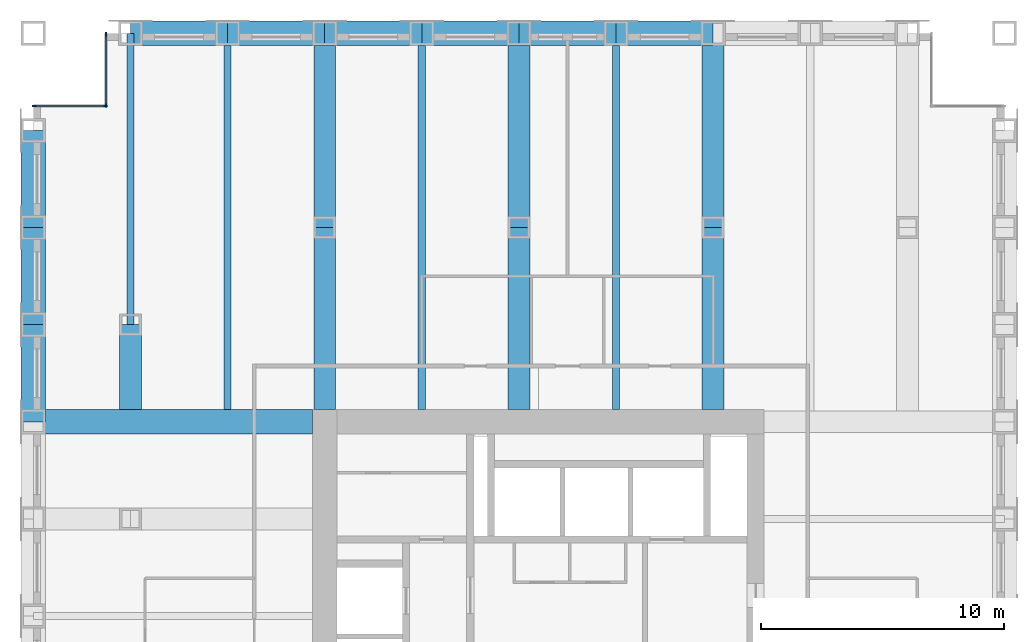
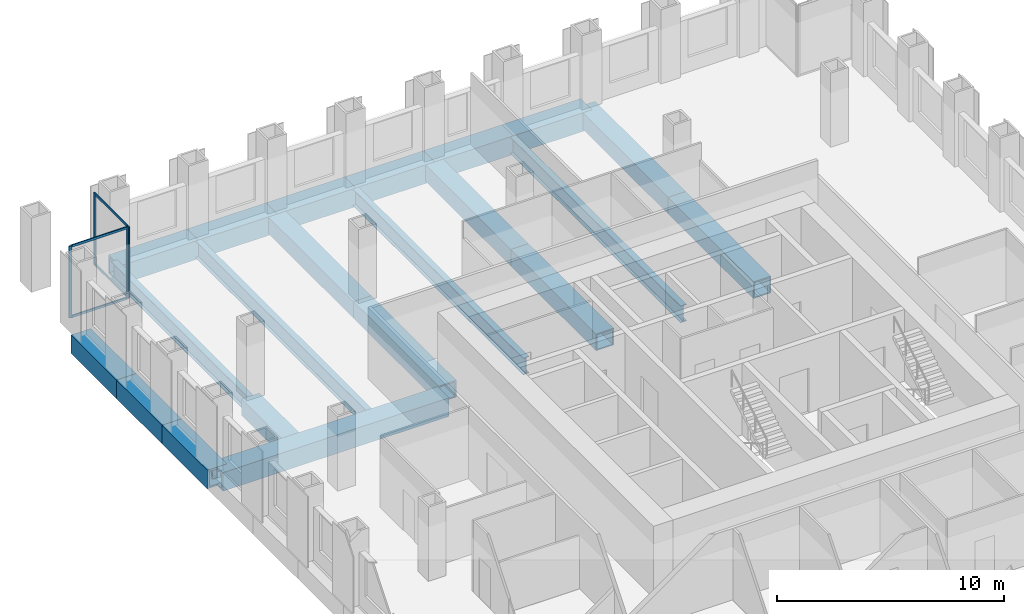
# One storey, part 5 of 12: 21 beams, 8 members, 2 elements without a shape of their own.
"""IFC4 building model written with IfcOpenShell, lengths in metres."""

from ifc_helpers import new_model, si_unit, direction, frame, origin, origin_2d, place, context, subcontext, project, spatial, rectangle, hollow_rectangle, i_section, extrude, material, material_profile, profile_set, type_object, element, aggregate, save


model = new_model("IFC4")

# Units and contexts
model_context = context("Model", 3, precision=1e-05, world=origin(), true_north=direction((0.0, 1.0)))
body_context = subcontext(model_context, "Body", "Model", "MODEL_VIEW")
ifc_project = project(units=[si_unit("LENGTHUNIT", "METRE"), si_unit("AREAUNIT", "SQUARE_METRE"), si_unit("VOLUMEUNIT", "CUBIC_METRE"), si_unit("PLANEANGLEUNIT", "RADIAN"), si_unit("MASSUNIT", "GRAM", prefix="KILO")], contexts=[model_context])

# Site, building, storey
site_placement = place(None, origin())
site = spatial("IfcSite", under=ifc_project, at=site_placement, CompositionType="ELEMENT")
building_placement = place(site_placement, origin())
building = spatial("IfcBuilding", under=site, at=building_placement, Name="Rimbunsela Tower", CompositionType="ELEMENT")
storey_placement = place(building_placement, frame((0.0, 0.0, 151.800048828125)))
storey = spatial("IfcBuildingStorey", under=building, at=storey_placement, Name="L36", CompositionType="ELEMENT", Elevation=151.800048828125)

# Beams
ifc_material_1 = material(Name="Steel BJ 55 (fy 410 MPa)", Category="steel")
ifc_material_profile_1 = material_profile(ifc_material_1, hollow_rectangle(XDim=1.0, YDim=1.0, WallThickness=0.10009765625, at=origin_2d()), Name="BOX 1000x1000x100")
ifc_profile_set_1 = profile_set([ifc_material_profile_1], Name="Steel BJ 55 (fy 410 MPa)")
beam_type_1 = type_object("IfcBeamType", Name="Beam BOX 1000x1000x100", PredefinedType="BEAM", material=ifc_profile_set_1)
beam_1_placement = place(storey_placement, frame((6.0, 36.0, -0.650146484375), z_axis=(0.0, 1.0, 0.0), x_axis=(-1.0, 0.0, 0.0)))
element("IfcBeam", 1, at=beam_1_placement, inside=storey, type_object=beam_type_1, Name="Beam B3 L36", PredefinedType="BEAM", context=body_context, shape_type="SweptSolid", body=[
    extrude(hollow_rectangle(XDim=1.0, YDim=1.0, WallThickness=0.10009765625, at=origin_2d()), origin(), (0.0, 0.0, 1.0), 4.0),
])
beam_2_placement = place(storey_placement, frame((6.0, 36.0, -0.650146484375), z_axis=(1.0, 0.0, 0.0), x_axis=(0.0, 1.0, 0.0)))
element("IfcBeam", 2, at=beam_2_placement, inside=storey, type_object=beam_type_1, Name="Beam B3 L36", PredefinedType="BEAM", context=body_context, shape_type="SweptSolid", body=[
    extrude(hollow_rectangle(XDim=1.0, YDim=1.0, WallThickness=0.10009765625, at=origin_2d()), origin(), (0.0, 0.0, 1.0), 11.5),
])
for number, where, z_axis, x_axis, name in (
    (3, (6.0, 40.0, -0.650146484375), (0.0, 1.0, 0.0), (-1.0, 0.0, 0.0), "Beam B3 L36"),
    (4, (6.0, 44.0, -0.650146484375), (0.0, 1.0, 0.0), (-1.0, 0.0, 0.0), "Beam B3 L36"),
    (5, (10.0, 52.0, -0.650146484375), (1.0, 0.0, 0.0), (0.0, 1.0, 0.0), "Beam B3 L36"),
    (6, (14.0, 52.0, -0.650146484375), (1.0, 0.0, 0.0), (0.0, 1.0, 0.0), "Beam B3 L36"),
    (7, (18.0, 52.0, -0.650146484375), (1.0, 0.0, 0.0), (0.0, 1.0, 0.0), "Beam B3 L36"),
    (8, (22.0, 52.0, -0.650146484375), (1.0, 0.0, 0.0), (0.0, 1.0, 0.0), "Beam B3 L36"),
    (9, (26.0, 52.0, -0.650146484375), (1.0, 0.0, 0.0), (0.0, 1.0, 0.0), "Beam B3 L36"),
    (10, (30.0, 52.0, -0.650146484375), (1.0, 0.0, 0.0), (0.0, 1.0, 0.0), "Beam B3 L36"),
):
    element("IfcBeam", number, at=place(storey_placement, frame(where, z_axis=z_axis, x_axis=x_axis)), inside=storey, type_object=beam_type_1, Name=name, PredefinedType="BEAM", context=body_context, shape_type="SweptSolid", body=[
        extrude(hollow_rectangle(XDim=1.0, YDim=1.0, WallThickness=0.10009765625, at=origin_2d()), origin(), (0.0, 0.0, 1.0), 4.0),
    ])
ifc_material_2 = material(Name="Steel BJ 55 (fy 410 MPa)", Category="steel")
ifc_material_profile_2 = material_profile(ifc_material_2, hollow_rectangle(XDim=0.89990234375, YDim=0.89990234375, WallThickness=0.06005859375, at=origin_2d()), Name="BOX 900x900x60")
ifc_profile_set_2 = profile_set([ifc_material_profile_2], Name="Steel BJ 55 (fy 410 MPa)")
beam_type_2 = type_object("IfcBeamType", Name="Beam BOX 900x900x60", PredefinedType="BEAM", material=ifc_profile_set_2)
beam_3_placement = place(storey_placement, frame((10.0, 36.5, -0.60009765625), z_axis=(0.0, 1.0, 0.0), x_axis=(-1.0, 0.0, 0.0)))
element("IfcBeam", 11, at=beam_3_placement, inside=storey, type_object=beam_type_2, Name="Beam B1 L36", PredefinedType="BEAM", context=body_context, shape_type="SweptSolid", body=[
    extrude(hollow_rectangle(XDim=0.89990234375, YDim=0.89990234375, WallThickness=0.06005859375, at=origin_2d()), origin(), (0.0, 0.0, 1.0), 3.5),
])
beam_4_placement = place(storey_placement, frame((18.0, 36.5, -0.60009765625), z_axis=(0.0, 1.0, 0.0), x_axis=(-1.0, 0.0, 0.0)))
element("IfcBeam", 12, at=beam_4_placement, inside=storey, type_object=beam_type_2, Name="Beam B1 L36", PredefinedType="BEAM", context=body_context, shape_type="SweptSolid", body=[
    extrude(hollow_rectangle(XDim=0.89990234375, YDim=0.89990234375, WallThickness=0.06005859375, at=origin_2d()), origin(), (0.0, 0.0, 1.0), 7.5),
])
beam_5_placement = place(storey_placement, frame((18.0, 44.0, -0.60009765625), z_axis=(0.0, 1.0, 0.0), x_axis=(-1.0, 0.0, 0.0)))
element("IfcBeam", 13, at=beam_5_placement, inside=storey, type_object=beam_type_2, Name="Beam B1 L36", PredefinedType="BEAM", context=body_context, shape_type="SweptSolid", body=[
    extrude(hollow_rectangle(XDim=0.89990234375, YDim=0.89990234375, WallThickness=0.06005859375, at=origin_2d()), origin(), (0.0, 0.0, 1.0), 8.0),
])
beam_6_placement = place(storey_placement, frame((26.0, 36.5, -0.60009765625), z_axis=(0.0, 1.0, 0.0), x_axis=(-1.0, 0.0, 0.0)))
element("IfcBeam", 14, at=beam_6_placement, inside=storey, type_object=beam_type_2, Name="Beam B1 L36", PredefinedType="BEAM", context=body_context, shape_type="SweptSolid", body=[
    extrude(hollow_rectangle(XDim=0.89990234375, YDim=0.89990234375, WallThickness=0.06005859375, at=origin_2d()), origin(), (0.0, 0.0, 1.0), 7.5),
])
beam_7_placement = place(storey_placement, frame((26.0, 44.0, -0.60009765625), z_axis=(0.0, 1.0, 0.0), x_axis=(-1.0, 0.0, 0.0)))
element("IfcBeam", 15, at=beam_7_placement, inside=storey, type_object=beam_type_2, Name="Beam B1 L36", PredefinedType="BEAM", context=body_context, shape_type="SweptSolid", body=[
    extrude(hollow_rectangle(XDim=0.89990234375, YDim=0.89990234375, WallThickness=0.06005859375, at=origin_2d()), origin(), (0.0, 0.0, 1.0), 8.0),
])
beam_8_placement = place(storey_placement, frame((34.0, 36.5, -0.60009765625), z_axis=(0.0, 1.0, 0.0), x_axis=(-1.0, 0.0, 0.0)))
element("IfcBeam", 16, at=beam_8_placement, inside=storey, type_object=beam_type_2, Name="Beam B1 L36", PredefinedType="BEAM", context=body_context, shape_type="SweptSolid", body=[
    extrude(hollow_rectangle(XDim=0.89990234375, YDim=0.89990234375, WallThickness=0.06005859375, at=origin_2d()), origin(), (0.0, 0.0, 1.0), 7.5),
])
beam_9_placement = place(storey_placement, frame((34.0, 44.0, -0.60009765625), z_axis=(0.0, 1.0, 0.0), x_axis=(-1.0, 0.0, 0.0)))
element("IfcBeam", 17, at=beam_9_placement, inside=storey, type_object=beam_type_2, Name="Beam B1 L36", PredefinedType="BEAM", context=body_context, shape_type="SweptSolid", body=[
    extrude(hollow_rectangle(XDim=0.89990234375, YDim=0.89990234375, WallThickness=0.06005859375, at=origin_2d()), origin(), (0.0, 0.0, 1.0), 8.0),
])
ifc_material_3 = material(Name="Steel BJ 55 (fy 410 MPa)", Category="steel")
ifc_material_profile_3 = material_profile(ifc_material_3, i_section(OverallWidth=0.300048828125, OverallDepth=0.89990234375, WebThickness=0.01611328125, FlangeThickness=0.028076171875, FilletRadius=0.028076171875, at=origin_2d()), Name="H 900x300x16x28")
ifc_profile_set_3 = profile_set([ifc_material_profile_3], Name="Steel BJ 55 (fy 410 MPa)")
beam_type_3 = type_object("IfcBeamType", Name="Beam H 900x300x16x28", PredefinedType="BEAM", material=ifc_profile_set_3)
beam_10_placement = place(storey_placement, frame((10.0, 40.0, -0.60009765625), z_axis=(0.0, 1.0, 0.0), x_axis=(-1.0, 0.0, 0.0)))
element("IfcBeam", 18, at=beam_10_placement, inside=storey, type_object=beam_type_3, Name="Beam B2 L36", PredefinedType="BEAM", context=body_context, shape_type="SweptSolid", body=[
    extrude(i_section(OverallWidth=0.300048828125, OverallDepth=0.89990234375, WebThickness=0.01611328125, FlangeThickness=0.028076171875, FilletRadius=0.028076171875, at=origin_2d()), origin(), (0.0, 0.0, 1.0), 12.0),
])
for number, where, z_axis, x_axis, name in (
    (19, (14.0, 36.5, -0.60009765625), (0.0, 1.0, 0.0), (-1.0, 0.0, 0.0), "Beam B2 L36"),
    (20, (22.0, 36.5, -0.60009765625), (0.0, 1.0, 0.0), (-1.0, 0.0, 0.0), "Beam B2 L36"),
    (21, (30.0, 36.5, -0.60009765625), (0.0, 1.0, 0.0), (-1.0, 0.0, 0.0), "Beam B2 L36"),
):
    element("IfcBeam", number, at=place(storey_placement, frame(where, z_axis=z_axis, x_axis=x_axis)), inside=storey, type_object=beam_type_3, Name=name, PredefinedType="BEAM", context=body_context, shape_type="SweptSolid", body=[
        extrude(i_section(OverallWidth=0.300048828125, OverallDepth=0.89990234375, WebThickness=0.01611328125, FlangeThickness=0.028076171875, FilletRadius=0.028076171875, at=origin_2d()), origin(), (0.0, 0.0, 1.0), 15.5),
    ])

# Curtain wall, members
ifc_material_4 = material(Name="Aluminium curtain wall", Category="aluminium")
curtain_wall_type = type_object("IfcCurtainWallType", Name="Corner glazing", PredefinedType="USERDEFINED", material=ifc_material_4)
curtain_wall_1_placement = place(storey_placement, origin())
curtain_wall_1 = element("IfcCurtainWall", 22, at=curtain_wall_1_placement, inside=storey, type_object=curtain_wall_type, Name="Corner glazing L36", ObjectType="CORNER GLAZING", PredefinedType="USERDEFINED")
ifc_material_5 = material(Name="Aluminium mullion", Category="aluminium")
ifc_material_profile_4 = material_profile(ifc_material_5, rectangle(XDim=0.06005859375, YDim=0.159912109375, at=origin_2d()), Name="Mullion 60x160")
ifc_profile_set_4 = profile_set([ifc_material_profile_4], Name="Aluminium mullion")
member_type_1 = type_object("IfcMemberType", Name="Curtain wall mullion 60x160", PredefinedType="MULLION", material=ifc_profile_set_4)
member_1_placement = place(storey_placement, frame((9.0, 51.969970703125, 0.0), z_axis=(0.0, 0.0, 1.0), x_axis=(1.0, 0.0, 0.0)))
member_1 = element("IfcMember", 23, at=member_1_placement, type_object=member_type_1, Name="CW5 mullion 1", PredefinedType="MULLION", context=body_context, shape_type="SweptSolid", body=[
    extrude(rectangle(XDim=0.06005859375, YDim=0.159912109375, at=origin_2d()), origin(), (0.0, 0.0, 1.0), 3.849853515625),
])
member_2_placement = place(storey_placement, frame((9.0, 49.030029296875, 0.0), z_axis=(0.0, 0.0, 1.0), x_axis=(1.0, 0.0, 0.0)))
member_2 = element("IfcMember", 24, at=member_2_placement, type_object=member_type_1, Name="CW5 mullion 2", PredefinedType="MULLION", context=body_context, shape_type="SweptSolid", body=[
    extrude(rectangle(XDim=0.06005859375, YDim=0.159912109375, at=origin_2d()), origin(), (0.0, 0.0, 1.0), 3.849853515625),
])

curtain_wall_2_placement = place(storey_placement, origin())
curtain_wall_2 = element("IfcCurtainWall", 25, at=curtain_wall_2_placement, inside=storey, type_object=curtain_wall_type, Name="Corner glazing L36", ObjectType="CORNER GLAZING", PredefinedType="USERDEFINED")
member_3_placement = place(storey_placement, frame((8.969970703125, 49.0, 0.0), z_axis=(0.0, 0.0, 1.0), x_axis=(0.0, -1.0, 0.0)))
member_3 = element("IfcMember", 26, at=member_3_placement, type_object=member_type_1, Name="CW5 mullion 1", PredefinedType="MULLION", context=body_context, shape_type="SweptSolid", body=[
    extrude(rectangle(XDim=0.06005859375, YDim=0.159912109375, at=origin_2d()), origin(), (0.0, 0.0, 1.0), 3.849853515625),
])
member_4_placement = place(storey_placement, frame((6.030029296875, 49.0, 0.0), z_axis=(0.0, 0.0, 1.0), x_axis=(0.0, -1.0, 0.0)))
member_4 = element("IfcMember", 27, at=member_4_placement, type_object=member_type_1, Name="CW5 mullion 2", PredefinedType="MULLION", context=body_context, shape_type="SweptSolid", body=[
    extrude(rectangle(XDim=0.06005859375, YDim=0.159912109375, at=origin_2d()), origin(), (0.0, 0.0, 1.0), 3.849853515625),
])

# Member
ifc_material_6 = material(Name="Aluminium transom", Category="aluminium")
ifc_material_profile_5 = material_profile(ifc_material_6, rectangle(XDim=0.06005859375, YDim=0.1201171875, at=origin_2d()), Name="Transom 60x120")
ifc_profile_set_5 = profile_set([ifc_material_profile_5], Name="Aluminium transom")
member_type_2 = type_object("IfcMemberType", Name="Curtain wall transom 60x120", PredefinedType="USERDEFINED", material=ifc_profile_set_5)
member_5_placement = place(storey_placement, frame((9.0, 51.93994140625, 0.030029296875), z_axis=(0.0, -1.0, 0.0), x_axis=(1.0, 0.0, 0.0)))
member_5 = element("IfcMember", 28, at=member_5_placement, type_object=member_type_2, Name="CW5 transom 1.1", ObjectType="TRANSOM", PredefinedType="USERDEFINED", context=body_context, shape_type="SweptSolid", body=[
    extrude(rectangle(XDim=0.06005859375, YDim=0.1201171875, at=origin_2d()), origin(), (0.0, 0.0, 1.0), 2.8798828125),
])

member_6_placement = place(storey_placement, frame((9.0, 51.93994140625, 3.820068359375), z_axis=(0.0, -1.0, 0.0), x_axis=(1.0, 0.0, 0.0)))
member_6 = element("IfcMember", 29, at=member_6_placement, type_object=member_type_2, Name="CW5 transom 1.2", ObjectType="TRANSOM", PredefinedType="USERDEFINED", context=body_context, shape_type="SweptSolid", body=[
    extrude(rectangle(XDim=0.06005859375, YDim=0.1201171875, at=origin_2d()), origin(), (0.0, 0.0, 1.0), 2.8798828125),
])

aggregate(curtain_wall_1, [member_1, member_2, member_5, member_6])

member_7_placement = place(storey_placement, frame((8.93994140625, 49.0, 0.030029296875), z_axis=(-1.0, 0.0, 0.0), x_axis=(0.0, -1.0, 0.0)))
member_7 = element("IfcMember", 30, at=member_7_placement, type_object=member_type_2, Name="CW5 transom 1.1", ObjectType="TRANSOM", PredefinedType="USERDEFINED", context=body_context, shape_type="SweptSolid", body=[
    extrude(rectangle(XDim=0.06005859375, YDim=0.1201171875, at=origin_2d()), origin(), (0.0, 0.0, 1.0), 2.8798828125),
])

member_8_placement = place(storey_placement, frame((8.93994140625, 49.0, 3.820068359375), z_axis=(-1.0, 0.0, 0.0), x_axis=(0.0, -1.0, 0.0)))
member_8 = element("IfcMember", 31, at=member_8_placement, type_object=member_type_2, Name="CW5 transom 1.2", ObjectType="TRANSOM", PredefinedType="USERDEFINED", context=body_context, shape_type="SweptSolid", body=[
    extrude(rectangle(XDim=0.06005859375, YDim=0.1201171875, at=origin_2d()), origin(), (0.0, 0.0, 1.0), 2.8798828125),
])

aggregate(curtain_wall_2, [member_3, member_4, member_7, member_8])

save(model, "model.ifc")
